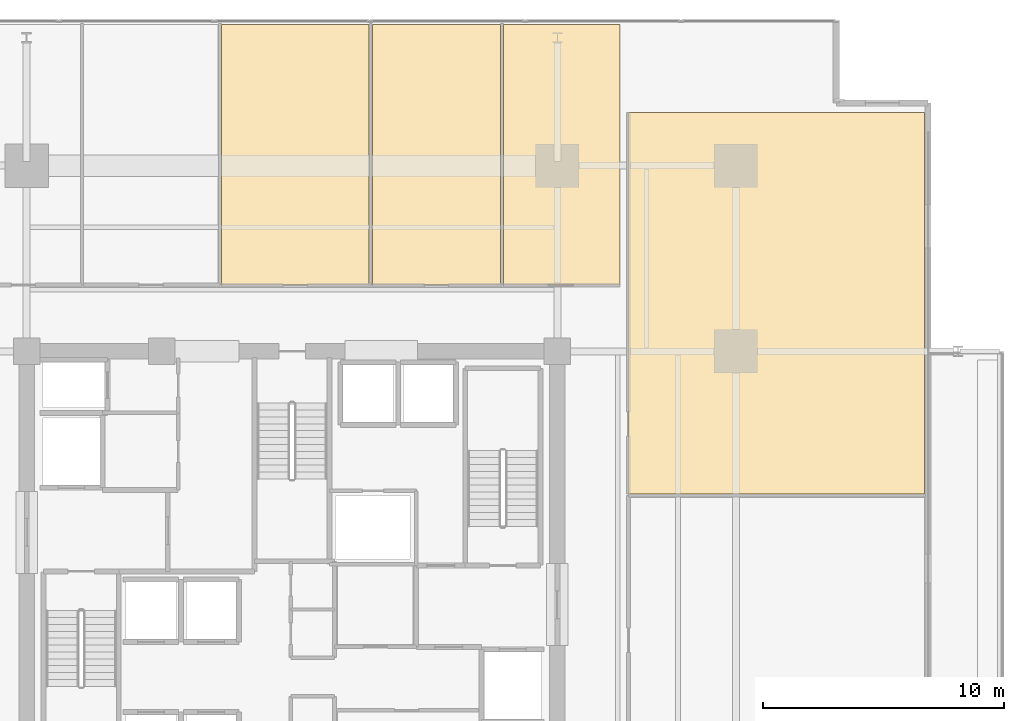
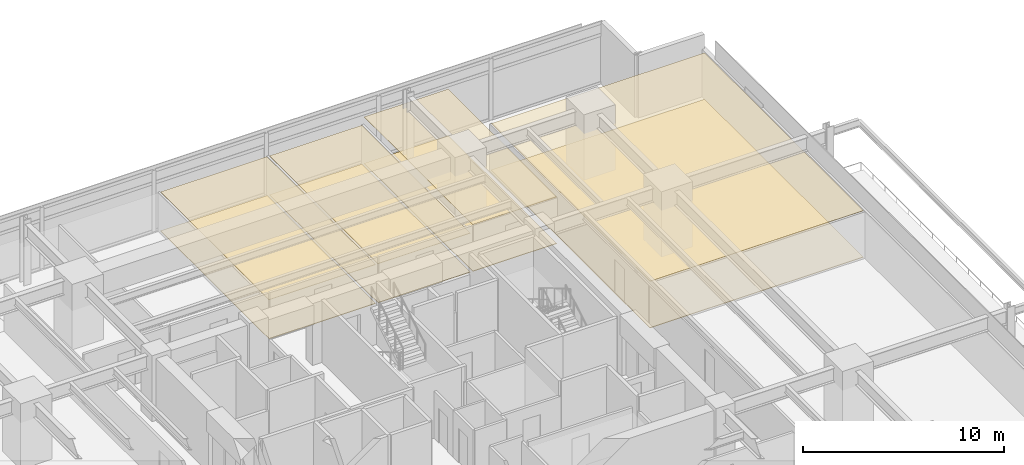
# One storey, part 23 of 23: 8 coverings.
"""IFC4 building model written with IfcOpenShell, lengths in metres."""

from ifc_helpers import new_model, si_unit, direction, frame, origin, place, context, subcontext, project, spatial, polyline, outline, extrude, material, layer, layer_set, type_object, element, save


model = new_model("IFC4")

# Units and contexts
model_context = context("Model", 3, precision=1e-05, world=origin(), true_north=direction((0.0, 1.0)))
body_context = subcontext(model_context, "Body", "Model", "MODEL_VIEW")
ifc_project = project(units=[si_unit("LENGTHUNIT", "METRE"), si_unit("AREAUNIT", "SQUARE_METRE"), si_unit("VOLUMEUNIT", "CUBIC_METRE"), si_unit("PLANEANGLEUNIT", "RADIAN"), si_unit("MASSUNIT", "GRAM", prefix="KILO")], contexts=[model_context])

# Site, building, storey
site_placement = place(None, origin())
site = spatial("IfcSite", under=ifc_project, at=site_placement, CompositionType="ELEMENT")
building_placement = place(site_placement, origin())
building = spatial("IfcBuilding", under=site, at=building_placement, Name="Kovane Verandah Tower", CompositionType="ELEMENT")
storey_placement = place(building_placement, frame((0.0, 0.0, 91.60009765625)))
storey = spatial("IfcBuildingStorey", under=building, at=storey_placement, Name="L21", CompositionType="ELEMENT", Elevation=91.60009765625)

# Coverings
ifc_material_1 = material(Name="Perforated Acoustic Mineral-Fibre Ceiling Tile", Category="gypsum")
ifc_layer_1 = layer(ifc_material_1, 0.02490234375)
ifc_layer_set_1 = layer_set([ifc_layer_1], Name="Perforated Acoustic Mineral-Fibre Ceiling Tile")
covering_type_1 = type_object("IfcCoveringType", Name="CV-CEIL-25", PredefinedType="CEILING", material=ifc_layer_set_1)
covering_1_placement = place(storey_placement, frame((0.0, 0.0, 2.364990234375)))
element("IfcCovering", 1, at=covering_1_placement, inside=storey, type_object=covering_type_1, Name="L21 Document and Print Room N3 Acoustic Ceiling", PredefinedType="CEILING", context=body_context, shape_type="SweptSolid", body=[
    extrude(outline(polyline([(37.077880859375, 39.25), (43.194091796875, 39.25), (43.194091796875, 50.044921875), (37.077880859375, 50.044921875), (37.077880859375, 39.25)])), origin(), (0.0, 0.0, 1.0), 0.02490234375),
])
covering_2_placement = place(storey_placement, frame((0.0, 0.0, 2.364990234375)))
element("IfcCovering", 2, at=covering_2_placement, inside=storey, type_object=covering_type_1, Name="L21 Open Plan Office N4 Acoustic Ceiling", PredefinedType="CEILING", context=body_context, shape_type="SweptSolid", body=[
    extrude(outline(polyline([(43.333984375, 39.25), (48.634033203125, 39.25), (48.634033203125, 50.044921875), (43.333984375, 50.044921875), (43.333984375, 39.25)])), origin(), (0.0, 0.0, 1.0), 0.02490234375),
])
covering_3_placement = place(storey_placement, frame((0.0, 0.0, 2.824951171875)))
element("IfcCovering", 3, at=covering_3_placement, inside=storey, type_object=covering_type_1, Name="L21 Executive Office N5 Acoustic Ceiling", PredefinedType="CEILING", context=body_context, shape_type="SweptSolid", body=[
    extrude(outline(polyline([(48.77392578125, 39.25), (53.60009765625, 39.25), (53.60009765625, 50.044921875), (48.77392578125, 50.044921875), (48.77392578125, 39.25)])), origin(), (0.0, 0.0, 1.0), 0.02490234375),
])
covering_4_placement = place(storey_placement, frame((0.0, 0.0, 2.824951171875)))
element("IfcCovering", 4, at=covering_4_placement, inside=storey, type_object=covering_type_1, Name="L21 Open Plan Office E2 Acoustic Ceiling", PredefinedType="CEILING", context=body_context, shape_type="SweptSolid", body=[
    extrude(outline(polyline([(53.949951171875, 30.59326171875), (66.214111328125, 30.59326171875), (66.214111328125, 46.39501953125), (53.949951171875, 46.39501953125), (53.949951171875, 30.59326171875)])), origin(), (0.0, 0.0, 1.0), 0.02490234375),
])
ifc_material_2 = material(Name="Polished Terrazzo and Raised-Access Carpet Tile Finish", Category="concrete")
ifc_layer_2 = layer(ifc_material_2, 0.030029296875)
ifc_layer_set_2 = layer_set([ifc_layer_2], Name="Polished Terrazzo and Raised-Access Carpet Tile Finish")
covering_type_2 = type_object("IfcCoveringType", Name="CV-FLOR-30", PredefinedType="FLOORING", material=ifc_layer_set_2)
covering_5_placement = place(storey_placement, origin())
element("IfcCovering", 5, at=covering_5_placement, inside=storey, type_object=covering_type_2, Name="L21 Document and Print Room N3 Floor Finish", PredefinedType="FLOORING", context=body_context, shape_type="SweptSolid", body=[
    extrude(outline(polyline([(37.077880859375, 39.25), (43.194091796875, 39.25), (43.194091796875, 50.044921875), (37.077880859375, 50.044921875), (37.077880859375, 39.25)])), origin(), (0.0, 0.0, 1.0), 0.02978515625),
])
covering_6_placement = place(storey_placement, origin())
element("IfcCovering", 6, at=covering_6_placement, inside=storey, type_object=covering_type_2, Name="L21 Open Plan Office N4 Floor Finish", PredefinedType="FLOORING", context=body_context, shape_type="SweptSolid", body=[
    extrude(outline(polyline([(43.333984375, 39.25), (48.634033203125, 39.25), (48.634033203125, 50.044921875), (43.333984375, 50.044921875), (43.333984375, 39.25)])), origin(), (0.0, 0.0, 1.0), 0.02978515625),
])
covering_7_placement = place(storey_placement, origin())
element("IfcCovering", 7, at=covering_7_placement, inside=storey, type_object=covering_type_2, Name="L21 Executive Office N5 Floor Finish", PredefinedType="FLOORING", context=body_context, shape_type="SweptSolid", body=[
    extrude(outline(polyline([(48.77392578125, 39.25), (53.60009765625, 39.25), (53.60009765625, 50.044921875), (48.77392578125, 50.044921875), (48.77392578125, 39.25)])), origin(), (0.0, 0.0, 1.0), 0.02978515625),
])
covering_8_placement = place(storey_placement, origin())
element("IfcCovering", 8, at=covering_8_placement, inside=storey, type_object=covering_type_2, Name="L21 Open Plan Office E2 Floor Finish", PredefinedType="FLOORING", context=body_context, shape_type="SweptSolid", body=[
    extrude(outline(polyline([(53.949951171875, 30.59326171875), (66.214111328125, 30.59326171875), (66.214111328125, 46.39501953125), (53.949951171875, 46.39501953125), (53.949951171875, 30.59326171875)])), origin(), (0.0, 0.0, 1.0), 0.02978515625),
])

save(model, "model.ifc")
